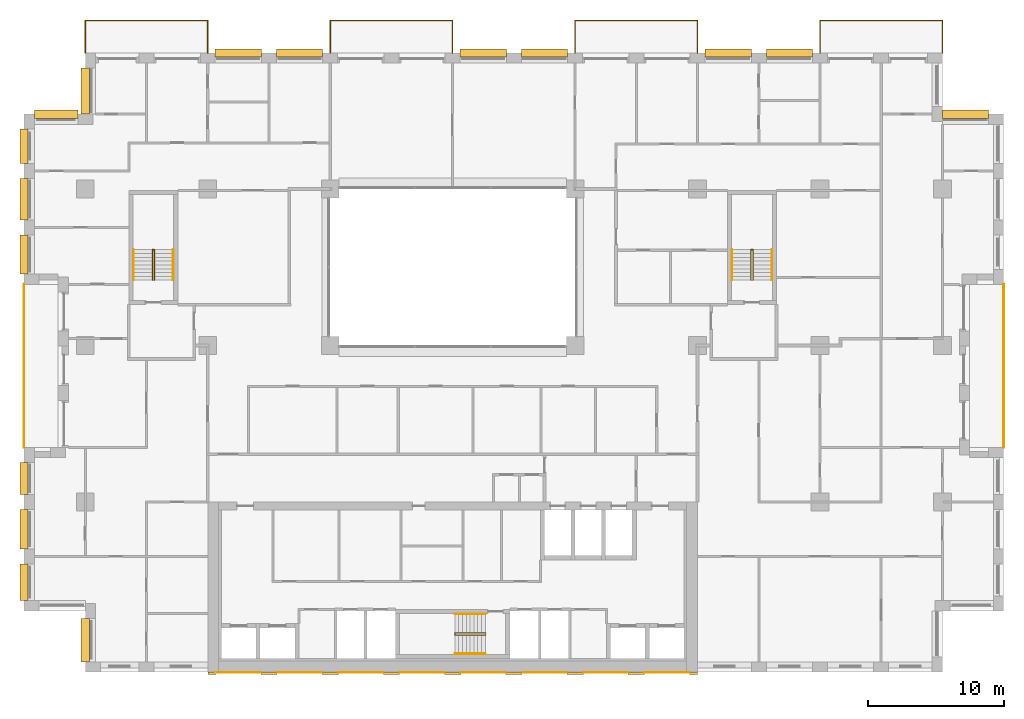
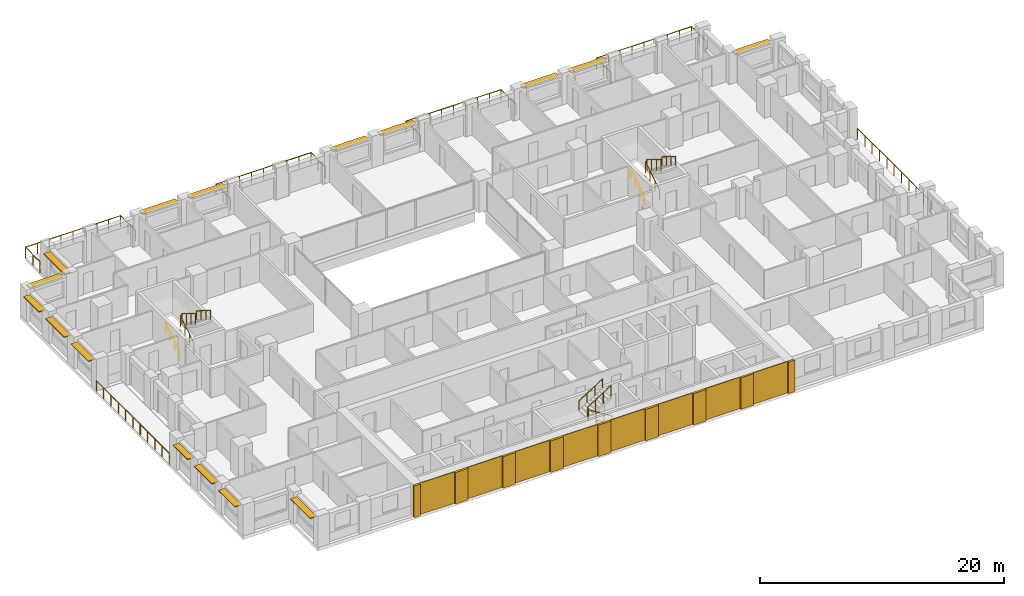
# One storey, part 16 of 16: 17 coverings, 16 shading devices, 15 railings.
"""IFC4 building model written with IfcOpenShell, lengths in metres."""

from ifc_helpers import new_model, si_unit, direction, frame, origin, origin_2d, place, context, subcontext, project, spatial, rectangle, circle, extrude, material, layer, layer_set, type_object, element, save


model = new_model("IFC4")

# Units and contexts
model_context = context("Model", 3, precision=1e-05, world=origin(), true_north=direction((0.0, 1.0)))
body_context = subcontext(model_context, "Body", "Model", "MODEL_VIEW")
ifc_project = project(units=[si_unit("LENGTHUNIT", "METRE"), si_unit("AREAUNIT", "SQUARE_METRE"), si_unit("VOLUMEUNIT", "CUBIC_METRE"), si_unit("PLANEANGLEUNIT", "RADIAN"), si_unit("MASSUNIT", "GRAM", prefix="KILO")], contexts=[model_context])

# Site, building, storey
site_placement = place(None, origin())
site = spatial("IfcSite", under=ifc_project, at=site_placement, CompositionType="ELEMENT")
building_placement = place(site_placement, origin())
building = spatial("IfcBuilding", under=site, at=building_placement, Name="Brigalow Station Residences", CompositionType="ELEMENT")
storey_placement = place(building_placement, frame((0.0, 0.0, 83.550048828125)))
storey = spatial("IfcBuildingStorey", under=building, at=storey_placement, Name="L23", CompositionType="ELEMENT", Elevation=83.550048828125)

# Railings
ifc_material_1 = material(Name="Stainless steel balustrade with laminated glass infill", Category="steel")
railing_type_1 = type_object("IfcRailingType", Name="BALCONY GUARD 1100", PredefinedType="GUARDRAIL", material=ifc_material_1)
railing_1_placement = place(storey_placement, frame((76.5, 16.5, -0.0400390625)))
element("IfcRailing", 1, at=railing_1_placement, inside=storey, type_object=railing_type_1, Name="L23/balcony-guard/1", PredefinedType="GUARDRAIL", context=body_context, shape_type="SweptSolid", body=[
    extrude(circle(Radius=0.02392578125, at=origin_2d()), frame((0.0, 0.0, 1.076171875), z_axis=(0.0, 1.0, 0.0), x_axis=(-1.0, 0.0, 0.0)), (0.0, 0.0, 1.0), 12.0),
    extrude(circle(Radius=0.02099609375, at=origin_2d()), origin(), (0.0, 0.0, 1.0), 1.052001953125),
    extrude(circle(Radius=0.02099609375, at=origin_2d()), frame((0.0, 1.199951171875, 0.0)), (0.0, 0.0, 1.0), 1.052001953125),
    extrude(circle(Radius=0.02099609375, at=origin_2d()), frame((0.0, 2.39990234375, 0.0)), (0.0, 0.0, 1.0), 1.052001953125),
    extrude(circle(Radius=0.02099609375, at=origin_2d()), frame((0.0, 3.60009765625, 0.0)), (0.0, 0.0, 1.0), 1.052001953125),
    extrude(circle(Radius=0.02099609375, at=origin_2d()), frame((0.0, 4.800048828125, 0.0)), (0.0, 0.0, 1.0), 1.052001953125),
    extrude(circle(Radius=0.02099609375, at=origin_2d()), frame((0.0, 6.0, 0.0)), (0.0, 0.0, 1.0), 1.052001953125),
    extrude(circle(Radius=0.02099609375, at=origin_2d()), frame((0.0, 7.199951171875, 0.0)), (0.0, 0.0, 1.0), 1.052001953125),
    extrude(circle(Radius=0.02099609375, at=origin_2d()), frame((0.0, 8.39990234375, 0.0)), (0.0, 0.0, 1.0), 1.052001953125),
    extrude(circle(Radius=0.02099609375, at=origin_2d()), frame((0.0, 9.60009765625, 0.0)), (0.0, 0.0, 1.0), 1.052001953125),
    extrude(circle(Radius=0.02099609375, at=origin_2d()), frame((0.0, 10.800048828125, 0.0)), (0.0, 0.0, 1.0), 1.052001953125),
    extrude(circle(Radius=0.02099609375, at=origin_2d()), frame((0.0, 12.0, 0.0)), (0.0, 0.0, 1.0), 1.052001953125),
])
railing_2_placement = place(storey_placement, frame((72.0, 45.5, -0.0400390625)))
element("IfcRailing", 2, at=railing_2_placement, inside=storey, type_object=railing_type_1, Name="L23/balcony-guard/2", PredefinedType="GUARDRAIL", context=body_context, shape_type="SweptSolid", body=[
    extrude(circle(Radius=0.02392578125, at=origin_2d()), frame((0.0, 0.0, 1.076171875), z_axis=(0.0, 1.0, 0.0), x_axis=(-1.0, 0.0, 0.0)), (0.0, 0.0, 1.0), 2.39990234375),
    extrude(circle(Radius=0.02392578125, at=origin_2d()), frame((0.0, 2.39990234375, 1.076171875), z_axis=(-1.0, 0.0, 0.0), x_axis=(0.0, -1.0, 0.0)), (0.0, 0.0, 1.0), 9.0),
    extrude(circle(Radius=0.02392578125, at=origin_2d()), frame((-9.0, 2.39990234375, 1.076171875), z_axis=(0.0, -1.0, 0.0), x_axis=(1.0, 0.0, 0.0)), (0.0, 0.0, 1.0), 2.39990234375),
    extrude(circle(Radius=0.02099609375, at=origin_2d()), origin(), (0.0, 0.0, 1.0), 1.052001953125),
    extrude(circle(Radius=0.02099609375, at=origin_2d()), frame((0.0, 1.199951171875, 0.0)), (0.0, 0.0, 1.0), 1.052001953125),
    extrude(circle(Radius=0.02099609375, at=origin_2d()), frame((0.0, 2.39990234375, 0.0)), (0.0, 0.0, 1.0), 1.052001953125),
    extrude(circle(Radius=0.02099609375, at=origin_2d()), frame((-1.125, 2.39990234375, 0.0)), (0.0, 0.0, 1.0), 1.052001953125),
    extrude(circle(Radius=0.02099609375, at=origin_2d()), frame((-2.25, 2.39990234375, 0.0)), (0.0, 0.0, 1.0), 1.052001953125),
    extrude(circle(Radius=0.02099609375, at=origin_2d()), frame((-3.375, 2.39990234375, 0.0)), (0.0, 0.0, 1.0), 1.052001953125),
    extrude(circle(Radius=0.02099609375, at=origin_2d()), frame((-4.5, 2.39990234375, 0.0)), (0.0, 0.0, 1.0), 1.052001953125),
    extrude(circle(Radius=0.02099609375, at=origin_2d()), frame((-5.625, 2.39990234375, 0.0)), (0.0, 0.0, 1.0), 1.052001953125),
    extrude(circle(Radius=0.02099609375, at=origin_2d()), frame((-6.75, 2.39990234375, 0.0)), (0.0, 0.0, 1.0), 1.052001953125),
    extrude(circle(Radius=0.02099609375, at=origin_2d()), frame((-7.875, 2.39990234375, 0.0)), (0.0, 0.0, 1.0), 1.052001953125),
    extrude(circle(Radius=0.02099609375, at=origin_2d()), frame((-9.0, 2.39990234375, 0.0)), (0.0, 0.0, 1.0), 1.052001953125),
    extrude(circle(Radius=0.02099609375, at=origin_2d()), frame((-9.0, 1.199951171875, 0.0)), (0.0, 0.0, 1.0), 1.052001953125),
    extrude(circle(Radius=0.02099609375, at=origin_2d()), frame((-9.0, 0.0, 0.0)), (0.0, 0.0, 1.0), 1.052001953125),
])
railing_3_placement = place(storey_placement, frame((54.0, 45.5, -0.0400390625)))
element("IfcRailing", 3, at=railing_3_placement, inside=storey, type_object=railing_type_1, Name="L23/balcony-guard/3", PredefinedType="GUARDRAIL", context=body_context, shape_type="SweptSolid", body=[
    extrude(circle(Radius=0.02392578125, at=origin_2d()), frame((0.0, 0.0, 1.076171875), z_axis=(0.0, 1.0, 0.0), x_axis=(-1.0, 0.0, 0.0)), (0.0, 0.0, 1.0), 2.39990234375),
    extrude(circle(Radius=0.02392578125, at=origin_2d()), frame((0.0, 2.39990234375, 1.076171875), z_axis=(-1.0, 0.0, 0.0), x_axis=(0.0, -1.0, 0.0)), (0.0, 0.0, 1.0), 9.0),
    extrude(circle(Radius=0.02392578125, at=origin_2d()), frame((-9.0, 2.39990234375, 1.076171875), z_axis=(0.0, -1.0, 0.0), x_axis=(1.0, 0.0, 0.0)), (0.0, 0.0, 1.0), 2.39990234375),
    extrude(circle(Radius=0.02099609375, at=origin_2d()), origin(), (0.0, 0.0, 1.0), 1.052001953125),
    extrude(circle(Radius=0.02099609375, at=origin_2d()), frame((0.0, 1.199951171875, 0.0)), (0.0, 0.0, 1.0), 1.052001953125),
    extrude(circle(Radius=0.02099609375, at=origin_2d()), frame((0.0, 2.39990234375, 0.0)), (0.0, 0.0, 1.0), 1.052001953125),
    extrude(circle(Radius=0.02099609375, at=origin_2d()), frame((-1.125, 2.39990234375, 0.0)), (0.0, 0.0, 1.0), 1.052001953125),
    extrude(circle(Radius=0.02099609375, at=origin_2d()), frame((-2.25, 2.39990234375, 0.0)), (0.0, 0.0, 1.0), 1.052001953125),
    extrude(circle(Radius=0.02099609375, at=origin_2d()), frame((-3.375, 2.39990234375, 0.0)), (0.0, 0.0, 1.0), 1.052001953125),
    extrude(circle(Radius=0.02099609375, at=origin_2d()), frame((-4.5, 2.39990234375, 0.0)), (0.0, 0.0, 1.0), 1.052001953125),
    extrude(circle(Radius=0.02099609375, at=origin_2d()), frame((-5.625, 2.39990234375, 0.0)), (0.0, 0.0, 1.0), 1.052001953125),
    extrude(circle(Radius=0.02099609375, at=origin_2d()), frame((-6.75, 2.39990234375, 0.0)), (0.0, 0.0, 1.0), 1.052001953125),
    extrude(circle(Radius=0.02099609375, at=origin_2d()), frame((-7.875, 2.39990234375, 0.0)), (0.0, 0.0, 1.0), 1.052001953125),
    extrude(circle(Radius=0.02099609375, at=origin_2d()), frame((-9.0, 2.39990234375, 0.0)), (0.0, 0.0, 1.0), 1.052001953125),
    extrude(circle(Radius=0.02099609375, at=origin_2d()), frame((-9.0, 1.199951171875, 0.0)), (0.0, 0.0, 1.0), 1.052001953125),
    extrude(circle(Radius=0.02099609375, at=origin_2d()), frame((-9.0, 0.0, 0.0)), (0.0, 0.0, 1.0), 1.052001953125),
])
railing_4_placement = place(storey_placement, frame((36.0, 45.5, -0.0400390625)))
element("IfcRailing", 4, at=railing_4_placement, inside=storey, type_object=railing_type_1, Name="L23/balcony-guard/4", PredefinedType="GUARDRAIL", context=body_context, shape_type="SweptSolid", body=[
    extrude(circle(Radius=0.02392578125, at=origin_2d()), frame((0.0, 0.0, 1.076171875), z_axis=(0.0, 1.0, 0.0), x_axis=(-1.0, 0.0, 0.0)), (0.0, 0.0, 1.0), 2.39990234375),
    extrude(circle(Radius=0.02392578125, at=origin_2d()), frame((0.0, 2.39990234375, 1.076171875), z_axis=(-1.0, 0.0, 0.0), x_axis=(0.0, -1.0, 0.0)), (0.0, 0.0, 1.0), 9.0),
    extrude(circle(Radius=0.02392578125, at=origin_2d()), frame((-9.0, 2.39990234375, 1.076171875), z_axis=(0.0, -1.0, 0.0), x_axis=(1.0, 0.0, 0.0)), (0.0, 0.0, 1.0), 2.39990234375),
    extrude(circle(Radius=0.02099609375, at=origin_2d()), origin(), (0.0, 0.0, 1.0), 1.052001953125),
    extrude(circle(Radius=0.02099609375, at=origin_2d()), frame((0.0, 1.199951171875, 0.0)), (0.0, 0.0, 1.0), 1.052001953125),
    extrude(circle(Radius=0.02099609375, at=origin_2d()), frame((0.0, 2.39990234375, 0.0)), (0.0, 0.0, 1.0), 1.052001953125),
    extrude(circle(Radius=0.02099609375, at=origin_2d()), frame((-1.125, 2.39990234375, 0.0)), (0.0, 0.0, 1.0), 1.052001953125),
    extrude(circle(Radius=0.02099609375, at=origin_2d()), frame((-2.25, 2.39990234375, 0.0)), (0.0, 0.0, 1.0), 1.052001953125),
    extrude(circle(Radius=0.02099609375, at=origin_2d()), frame((-3.375, 2.39990234375, 0.0)), (0.0, 0.0, 1.0), 1.052001953125),
    extrude(circle(Radius=0.02099609375, at=origin_2d()), frame((-4.5, 2.39990234375, 0.0)), (0.0, 0.0, 1.0), 1.052001953125),
    extrude(circle(Radius=0.02099609375, at=origin_2d()), frame((-5.625, 2.39990234375, 0.0)), (0.0, 0.0, 1.0), 1.052001953125),
    extrude(circle(Radius=0.02099609375, at=origin_2d()), frame((-6.75, 2.39990234375, 0.0)), (0.0, 0.0, 1.0), 1.052001953125),
    extrude(circle(Radius=0.02099609375, at=origin_2d()), frame((-7.875, 2.39990234375, 0.0)), (0.0, 0.0, 1.0), 1.052001953125),
    extrude(circle(Radius=0.02099609375, at=origin_2d()), frame((-9.0, 2.39990234375, 0.0)), (0.0, 0.0, 1.0), 1.052001953125),
    extrude(circle(Radius=0.02099609375, at=origin_2d()), frame((-9.0, 1.199951171875, 0.0)), (0.0, 0.0, 1.0), 1.052001953125),
    extrude(circle(Radius=0.02099609375, at=origin_2d()), frame((-9.0, 0.0, 0.0)), (0.0, 0.0, 1.0), 1.052001953125),
])
railing_5_placement = place(storey_placement, frame((18.0, 45.5, -0.0400390625)))
element("IfcRailing", 5, at=railing_5_placement, inside=storey, type_object=railing_type_1, Name="L23/balcony-guard/5", PredefinedType="GUARDRAIL", context=body_context, shape_type="SweptSolid", body=[
    extrude(circle(Radius=0.02392578125, at=origin_2d()), frame((0.0, 0.0, 1.076171875), z_axis=(0.0, 1.0, 0.0), x_axis=(-1.0, 0.0, 0.0)), (0.0, 0.0, 1.0), 2.39990234375),
    extrude(circle(Radius=0.02392578125, at=origin_2d()), frame((0.0, 2.39990234375, 1.076171875), z_axis=(-1.0, 0.0, 0.0), x_axis=(0.0, -1.0, 0.0)), (0.0, 0.0, 1.0), 9.0),
    extrude(circle(Radius=0.02392578125, at=origin_2d()), frame((-9.0, 2.39990234375, 1.076171875), z_axis=(0.0, -1.0, 0.0), x_axis=(1.0, 0.0, 0.0)), (0.0, 0.0, 1.0), 2.39990234375),
    extrude(circle(Radius=0.02099609375, at=origin_2d()), origin(), (0.0, 0.0, 1.0), 1.052001953125),
    extrude(circle(Radius=0.02099609375, at=origin_2d()), frame((0.0, 1.199951171875, 0.0)), (0.0, 0.0, 1.0), 1.052001953125),
    extrude(circle(Radius=0.02099609375, at=origin_2d()), frame((0.0, 2.39990234375, 0.0)), (0.0, 0.0, 1.0), 1.052001953125),
    extrude(circle(Radius=0.02099609375, at=origin_2d()), frame((-1.125, 2.39990234375, 0.0)), (0.0, 0.0, 1.0), 1.052001953125),
    extrude(circle(Radius=0.02099609375, at=origin_2d()), frame((-2.25, 2.39990234375, 0.0)), (0.0, 0.0, 1.0), 1.052001953125),
    extrude(circle(Radius=0.02099609375, at=origin_2d()), frame((-3.375, 2.39990234375, 0.0)), (0.0, 0.0, 1.0), 1.052001953125),
    extrude(circle(Radius=0.02099609375, at=origin_2d()), frame((-4.5, 2.39990234375, 0.0)), (0.0, 0.0, 1.0), 1.052001953125),
    extrude(circle(Radius=0.02099609375, at=origin_2d()), frame((-5.625, 2.39990234375, 0.0)), (0.0, 0.0, 1.0), 1.052001953125),
    extrude(circle(Radius=0.02099609375, at=origin_2d()), frame((-6.75, 2.39990234375, 0.0)), (0.0, 0.0, 1.0), 1.052001953125),
    extrude(circle(Radius=0.02099609375, at=origin_2d()), frame((-7.875, 2.39990234375, 0.0)), (0.0, 0.0, 1.0), 1.052001953125),
    extrude(circle(Radius=0.02099609375, at=origin_2d()), frame((-9.0, 2.39990234375, 0.0)), (0.0, 0.0, 1.0), 1.052001953125),
    extrude(circle(Radius=0.02099609375, at=origin_2d()), frame((-9.0, 1.199951171875, 0.0)), (0.0, 0.0, 1.0), 1.052001953125),
    extrude(circle(Radius=0.02099609375, at=origin_2d()), frame((-9.0, 0.0, 0.0)), (0.0, 0.0, 1.0), 1.052001953125),
])
railing_6_placement = place(storey_placement, frame((4.5, 28.5, -0.0400390625)))
element("IfcRailing", 6, at=railing_6_placement, inside=storey, type_object=railing_type_1, Name="L23/balcony-guard/6", PredefinedType="GUARDRAIL", context=body_context, shape_type="SweptSolid", body=[
    extrude(circle(Radius=0.02392578125, at=origin_2d()), frame((0.0, 0.0, 1.076171875), z_axis=(0.0, -1.0, 0.0), x_axis=(1.0, 0.0, 0.0)), (0.0, 0.0, 1.0), 12.0),
    extrude(circle(Radius=0.02099609375, at=origin_2d()), origin(), (0.0, 0.0, 1.0), 1.052001953125),
    extrude(circle(Radius=0.02099609375, at=origin_2d()), frame((0.0, -1.199951171875, 0.0)), (0.0, 0.0, 1.0), 1.052001953125),
    extrude(circle(Radius=0.02099609375, at=origin_2d()), frame((0.0, -2.39990234375, 0.0)), (0.0, 0.0, 1.0), 1.052001953125),
    extrude(circle(Radius=0.02099609375, at=origin_2d()), frame((0.0, -3.60009765625, 0.0)), (0.0, 0.0, 1.0), 1.052001953125),
    extrude(circle(Radius=0.02099609375, at=origin_2d()), frame((0.0, -4.800048828125, 0.0)), (0.0, 0.0, 1.0), 1.052001953125),
    extrude(circle(Radius=0.02099609375, at=origin_2d()), frame((0.0, -6.0, 0.0)), (0.0, 0.0, 1.0), 1.052001953125),
    extrude(circle(Radius=0.02099609375, at=origin_2d()), frame((0.0, -7.199951171875, 0.0)), (0.0, 0.0, 1.0), 1.052001953125),
    extrude(circle(Radius=0.02099609375, at=origin_2d()), frame((0.0, -8.39990234375, 0.0)), (0.0, 0.0, 1.0), 1.052001953125),
    extrude(circle(Radius=0.02099609375, at=origin_2d()), frame((0.0, -9.60009765625, 0.0)), (0.0, 0.0, 1.0), 1.052001953125),
    extrude(circle(Radius=0.02099609375, at=origin_2d()), frame((0.0, -10.800048828125, 0.0)), (0.0, 0.0, 1.0), 1.052001953125),
    extrude(circle(Radius=0.02099609375, at=origin_2d()), frame((0.0, -12.0, 0.0)), (0.0, 0.0, 1.0), 1.052001953125),
])

# Coverings
ifc_material_2 = material(Name="Clay brick masonry", Category="masonry")
ifc_layer_1 = layer(ifc_material_2, 0.06005859375)
ifc_layer_set_1 = layer_set([ifc_layer_1], Name="BRICK PANEL FACING 60")
covering_type_1 = type_object("IfcCoveringType", Name="BRICK PANEL FACING 60", PredefinedType="CLADDING", material=ifc_layer_set_1)
for number, where, z_axis, x_axis, name in (
    (7, (20.25, -0.030029296875, 0.0), (0.0, 0.0, 1.0), (1.0, 0.0, 0.0), "L23/rear-facing/panel-1"),
    (8, (24.75, -0.030029296875, 0.0), (0.0, 0.0, 1.0), (1.0, 0.0, 0.0), "L23/rear-facing/panel-2"),
    (9, (29.25, -0.030029296875, 0.0), (0.0, 0.0, 1.0), (1.0, 0.0, 0.0), "L23/rear-facing/panel-3"),
    (10, (33.75, -0.030029296875, 0.0), (0.0, 0.0, 1.0), (1.0, 0.0, 0.0), "L23/rear-facing/panel-4"),
    (11, (38.25, -0.030029296875, 0.0), (0.0, 0.0, 1.0), (1.0, 0.0, 0.0), "L23/rear-facing/panel-5"),
    (12, (42.75, -0.030029296875, 0.0), (0.0, 0.0, 1.0), (1.0, 0.0, 0.0), "L23/rear-facing/panel-6"),
    (13, (47.25, -0.030029296875, 0.0), (0.0, 0.0, 1.0), (1.0, 0.0, 0.0), "L23/rear-facing/panel-7"),
    (14, (51.75, -0.030029296875, 0.0), (0.0, 0.0, 1.0), (1.0, 0.0, 0.0), "L23/rear-facing/panel-8"),
):
    element("IfcCovering", number, at=place(storey_placement, frame(where, z_axis=z_axis, x_axis=x_axis)), inside=storey, type_object=covering_type_1, Name=name, PredefinedType="CLADDING", context=body_context, shape_type="SweptSolid", body=[
        extrude(rectangle(XDim=3.300048828125, YDim=0.06005859375, at=origin_2d()), origin(), (0.0, 0.0, 1.0), 3.14990234375),
    ])
ifc_material_3 = material(Name="Clay brick masonry", Category="masonry")
ifc_layer_2 = layer(ifc_material_3, 0.199951171875)
ifc_layer_set_2 = layer_set([ifc_layer_2], Name="BRICK PIER FACING 200")
covering_type_2 = type_object("IfcCoveringType", Name="BRICK PIER FACING 200", PredefinedType="CLADDING", material=ifc_layer_set_2)
covering_1_placement = place(storey_placement, frame((18.300048828125, -0.10009765625, 0.0), z_axis=(0.0, 0.0, 1.0), x_axis=(1.0, 0.0, 0.0)))
element("IfcCovering", 15, at=covering_1_placement, inside=storey, type_object=covering_type_2, Name="L23/rear-facing/pier-1", PredefinedType="CLADDING", context=body_context, shape_type="SweptSolid", body=[
    extrude(rectangle(XDim=0.60009765625, YDim=0.199951171875, at=origin_2d()), origin(), (0.0, 0.0, 1.0), 3.14990234375),
])
for number, where, z_axis, x_axis, name in (
    (16, (22.5, -0.10009765625, 0.0), (0.0, 0.0, 1.0), (1.0, 0.0, 0.0), "L23/rear-facing/pier-2"),
    (17, (27.0, -0.10009765625, 0.0), (0.0, 0.0, 1.0), (1.0, 0.0, 0.0), "L23/rear-facing/pier-3"),
    (18, (31.5, -0.10009765625, 0.0), (0.0, 0.0, 1.0), (1.0, 0.0, 0.0), "L23/rear-facing/pier-4"),
    (19, (36.0, -0.10009765625, 0.0), (0.0, 0.0, 1.0), (1.0, 0.0, 0.0), "L23/rear-facing/pier-5"),
    (20, (40.5, -0.10009765625, 0.0), (0.0, 0.0, 1.0), (1.0, 0.0, 0.0), "L23/rear-facing/pier-6"),
    (21, (45.0, -0.10009765625, 0.0), (0.0, 0.0, 1.0), (1.0, 0.0, 0.0), "L23/rear-facing/pier-7"),
    (22, (49.5, -0.10009765625, 0.0), (0.0, 0.0, 1.0), (1.0, 0.0, 0.0), "L23/rear-facing/pier-8"),
):
    element("IfcCovering", number, at=place(storey_placement, frame(where, z_axis=z_axis, x_axis=x_axis)), inside=storey, type_object=covering_type_2, Name=name, PredefinedType="CLADDING", context=body_context, shape_type="SweptSolid", body=[
        extrude(rectangle(XDim=1.199951171875, YDim=0.199951171875, at=origin_2d()), origin(), (0.0, 0.0, 1.0), 3.14990234375),
    ])
covering_2_placement = place(storey_placement, frame((53.699951171875, -0.10009765625, 0.0), z_axis=(0.0, 0.0, 1.0), x_axis=(1.0, 0.0, 0.0)))
element("IfcCovering", 23, at=covering_2_placement, inside=storey, type_object=covering_type_2, Name="L23/rear-facing/pier-9", PredefinedType="CLADDING", context=body_context, shape_type="SweptSolid", body=[
    extrude(rectangle(XDim=0.60009765625, YDim=0.199951171875, at=origin_2d()), origin(), (0.0, 0.0, 1.0), 3.14990234375),
])

# Railings
ifc_material_4 = material(Name="Stainless steel balustrade", Category="steel")
railing_type_2 = type_object("IfcRailingType", Name="STAIR GUARD 1100", PredefinedType="GUARDRAIL", material=ifc_material_4)
railing_7_placement = place(storey_placement, frame((38.39990234375, 2.72998046875, 0.175048828125)))
element("IfcRailing", 24, at=railing_7_placement, inside=storey, type_object=railing_type_2, Name="GUARD GR-2", PredefinedType="GUARDRAIL", context=body_context, shape_type="SweptSolid", body=[
    extrude(circle(Radius=0.02392578125, at=origin_2d()), frame((0.0, 0.0, 1.076171875), z_axis=(-0.848013881152, 0.0, 0.529974015752), x_axis=(0.0, -1.0, 0.0)), (0.0, 0.0, 1.0), 2.641357421875),
    extrude(circle(Radius=0.02392578125, at=origin_2d()), frame((-2.239990234375, 0.0, 2.47607421875), z_axis=(0.0, 0.624960567888, 0.780656319122), x_axis=(-1.0, 0.0, 0.0)), (0.0, 0.0, 1.0), 0.22412109375),
    extrude(circle(Radius=0.02392578125, at=origin_2d()), frame((-2.239990234375, 0.14013671875, 2.65087890625), z_axis=(0.848013881152, 0.0, 0.529974015752), x_axis=(0.0, 1.0, 0.0)), (0.0, 0.0, 1.0), 2.641357421875),
    extrude(circle(Radius=0.02099609375, at=origin_2d()), origin(), (0.0, 0.0, 1.0), 1.052001953125),
    extrude(circle(Radius=0.02099609375, at=origin_2d()), frame((-0.74658203125, 0.0, 0.466552734375)), (0.0, 0.0, 1.0), 1.052001953125),
    extrude(circle(Radius=0.02099609375, at=origin_2d()), frame((-1.493408203125, 0.0, 0.933349609375)), (0.0, 0.0, 1.0), 1.052001953125),
    extrude(circle(Radius=0.02099609375, at=origin_2d()), frame((-2.239990234375, 0.0, 1.39990234375)), (0.0, 0.0, 1.0), 1.052001953125),
    extrude(circle(Radius=0.02099609375, at=origin_2d()), frame((-2.239990234375, 0.14013671875, 1.574951171875)), (0.0, 0.0, 1.0), 1.052001953125),
    extrude(circle(Radius=0.02099609375, at=origin_2d()), frame((-1.493408203125, 0.14013671875, 2.04150390625)), (0.0, 0.0, 1.0), 1.052001953125),
    extrude(circle(Radius=0.02099609375, at=origin_2d()), frame((-0.74658203125, 0.14013671875, 2.50830078125)), (0.0, 0.0, 1.0), 1.052001953125),
    extrude(circle(Radius=0.02099609375, at=origin_2d()), frame((0.0, 0.14013671875, 2.974853515625)), (0.0, 0.0, 1.0), 1.052001953125),
])
for number, where, name in (
    (25, (13.929931640625, 28.800048828125, 0.175048828125), "GUARD GR-1"),
    (26, (57.929931640625, 28.800048828125, 0.175048828125), "GUARD GR-3"),
):
    element("IfcRailing", number, at=place(storey_placement, frame(where)), inside=storey, type_object=railing_type_2, Name=name, PredefinedType="GUARDRAIL", context=body_context, shape_type="SweptSolid", body=[
        extrude(circle(Radius=0.02392578125, at=origin_2d()), frame((0.0, 0.0, 1.076171875), z_axis=(0.0, 0.848013881152, 0.529974015752), x_axis=(-1.0, 0.0, 0.0)), (0.0, 0.0, 1.0), 2.641357421875),
        extrude(circle(Radius=0.02392578125, at=origin_2d()), frame((0.0, 2.239990234375, 2.47607421875), z_axis=(0.624960567888, 0.0, 0.780656319122), x_axis=(0.0, 1.0, 0.0)), (0.0, 0.0, 1.0), 0.22412109375),
        extrude(circle(Radius=0.02392578125, at=origin_2d()), frame((0.14013671875, 2.239990234375, 2.65087890625), z_axis=(0.0, -0.848013881152, 0.529974015752), x_axis=(1.0, 0.0, 0.0)), (0.0, 0.0, 1.0), 2.641357421875),
        extrude(circle(Radius=0.02099609375, at=origin_2d()), origin(), (0.0, 0.0, 1.0), 1.052001953125),
        extrude(circle(Radius=0.02099609375, at=origin_2d()), frame((0.0, 0.74658203125, 0.466552734375)), (0.0, 0.0, 1.0), 1.052001953125),
        extrude(circle(Radius=0.02099609375, at=origin_2d()), frame((0.0, 1.493408203125, 0.933349609375)), (0.0, 0.0, 1.0), 1.052001953125),
        extrude(circle(Radius=0.02099609375, at=origin_2d()), frame((0.0, 2.239990234375, 1.39990234375)), (0.0, 0.0, 1.0), 1.052001953125),
        extrude(circle(Radius=0.02099609375, at=origin_2d()), frame((0.14013671875, 2.239990234375, 1.574951171875)), (0.0, 0.0, 1.0), 1.052001953125),
        extrude(circle(Radius=0.02099609375, at=origin_2d()), frame((0.14013671875, 1.493408203125, 2.04150390625)), (0.0, 0.0, 1.0), 1.052001953125),
        extrude(circle(Radius=0.02099609375, at=origin_2d()), frame((0.14013671875, 0.74658203125, 2.50830078125)), (0.0, 0.0, 1.0), 1.052001953125),
        extrude(circle(Radius=0.02099609375, at=origin_2d()), frame((0.14013671875, 0.0, 2.974853515625)), (0.0, 0.0, 1.0), 1.052001953125),
    ])
ifc_material_5 = material(Name="Stainless steel handrail", Category="steel")
railing_type_3 = type_object("IfcRailingType", Name="STAIR HANDRAIL 900", PredefinedType="HANDRAIL", material=ifc_material_5)
railing_8_placement = place(storey_placement, frame((38.39990234375, 1.340087890625, 0.175048828125)))
element("IfcRailing", 27, at=railing_8_placement, inside=storey, type_object=railing_type_3, Name="HANDRAIL HR-21", PredefinedType="HANDRAIL", context=body_context, shape_type="SweptSolid", body=[
    extrude(circle(Radius=0.02392578125, at=origin_2d()), frame((0.0, 0.0, 0.8759765625), z_axis=(-0.848013881152, 0.0, 0.529974015752), x_axis=(0.0, -1.0, 0.0)), (0.0, 0.0, 1.0), 2.641357421875),
    extrude(circle(Radius=0.02099609375, at=origin_2d()), origin(), (0.0, 0.0, 1.0), 0.851806640625),
    extrude(circle(Radius=0.02099609375, at=origin_2d()), frame((-0.74658203125, 0.0, 0.466552734375)), (0.0, 0.0, 1.0), 0.851806640625),
    extrude(circle(Radius=0.02099609375, at=origin_2d()), frame((-1.493408203125, 0.0, 0.933349609375)), (0.0, 0.0, 1.0), 0.851806640625),
    extrude(circle(Radius=0.02099609375, at=origin_2d()), frame((-2.239990234375, 0.0, 1.39990234375)), (0.0, 0.0, 1.0), 0.851806640625),
])
railing_9_placement = place(storey_placement, frame((36.159912109375, 4.260009765625, 1.75)))
element("IfcRailing", 28, at=railing_9_placement, inside=storey, type_object=railing_type_3, Name="HANDRAIL HR-22", PredefinedType="HANDRAIL", context=body_context, shape_type="SweptSolid", body=[
    extrude(circle(Radius=0.02392578125, at=origin_2d()), frame((0.0, 0.0, 0.8759765625), z_axis=(0.848013881152, 0.0, 0.529974015752), x_axis=(0.0, 1.0, 0.0)), (0.0, 0.0, 1.0), 2.641357421875),
    extrude(circle(Radius=0.02099609375, at=origin_2d()), origin(), (0.0, 0.0, 1.0), 0.851806640625),
    extrude(circle(Radius=0.02099609375, at=origin_2d()), frame((0.74658203125, 0.0, 0.466552734375)), (0.0, 0.0, 1.0), 0.851806640625),
    extrude(circle(Radius=0.02099609375, at=origin_2d()), frame((1.493408203125, 0.0, 0.933349609375)), (0.0, 0.0, 1.0), 0.851806640625),
    extrude(circle(Radius=0.02099609375, at=origin_2d()), frame((2.239990234375, 0.0, 1.39990234375)), (0.0, 0.0, 1.0), 0.851806640625),
])
railing_10_placement = place(storey_placement, frame((12.5400390625, 28.800048828125, 0.175048828125)))
element("IfcRailing", 29, at=railing_10_placement, inside=storey, type_object=railing_type_3, Name="HANDRAIL HR-11", PredefinedType="HANDRAIL", context=body_context, shape_type="SweptSolid", body=[
    extrude(circle(Radius=0.02392578125, at=origin_2d()), frame((0.0, 0.0, 0.8759765625), z_axis=(0.0, 0.848013881152, 0.529974015752), x_axis=(-1.0, 0.0, 0.0)), (0.0, 0.0, 1.0), 2.641357421875),
    extrude(circle(Radius=0.02099609375, at=origin_2d()), origin(), (0.0, 0.0, 1.0), 0.851806640625),
    extrude(circle(Radius=0.02099609375, at=origin_2d()), frame((0.0, 0.74658203125, 0.466552734375)), (0.0, 0.0, 1.0), 0.851806640625),
    extrude(circle(Radius=0.02099609375, at=origin_2d()), frame((0.0, 1.493408203125, 0.933349609375)), (0.0, 0.0, 1.0), 0.851806640625),
    extrude(circle(Radius=0.02099609375, at=origin_2d()), frame((0.0, 2.239990234375, 1.39990234375)), (0.0, 0.0, 1.0), 0.851806640625),
])
railing_11_placement = place(storey_placement, frame((15.4599609375, 31.0400390625, 1.75)))
element("IfcRailing", 30, at=railing_11_placement, inside=storey, type_object=railing_type_3, Name="HANDRAIL HR-12", PredefinedType="HANDRAIL", context=body_context, shape_type="SweptSolid", body=[
    extrude(circle(Radius=0.02392578125, at=origin_2d()), frame((0.0, 0.0, 0.8759765625), z_axis=(0.0, -0.848013881152, 0.529974015752), x_axis=(1.0, 0.0, 0.0)), (0.0, 0.0, 1.0), 2.641357421875),
    extrude(circle(Radius=0.02099609375, at=origin_2d()), origin(), (0.0, 0.0, 1.0), 0.851806640625),
    extrude(circle(Radius=0.02099609375, at=origin_2d()), frame((0.0, -0.74658203125, 0.466552734375)), (0.0, 0.0, 1.0), 0.851806640625),
    extrude(circle(Radius=0.02099609375, at=origin_2d()), frame((0.0, -1.493408203125, 0.933349609375)), (0.0, 0.0, 1.0), 0.851806640625),
    extrude(circle(Radius=0.02099609375, at=origin_2d()), frame((0.0, -2.239990234375, 1.39990234375)), (0.0, 0.0, 1.0), 0.851806640625),
])
railing_12_placement = place(storey_placement, frame((56.5400390625, 28.800048828125, 0.175048828125)))
element("IfcRailing", 31, at=railing_12_placement, inside=storey, type_object=railing_type_3, Name="HANDRAIL HR-31", PredefinedType="HANDRAIL", context=body_context, shape_type="SweptSolid", body=[
    extrude(circle(Radius=0.02392578125, at=origin_2d()), frame((0.0, 0.0, 0.8759765625), z_axis=(0.0, 0.848013881152, 0.529974015752), x_axis=(-1.0, 0.0, 0.0)), (0.0, 0.0, 1.0), 2.641357421875),
    extrude(circle(Radius=0.02099609375, at=origin_2d()), origin(), (0.0, 0.0, 1.0), 0.851806640625),
    extrude(circle(Radius=0.02099609375, at=origin_2d()), frame((0.0, 0.74658203125, 0.466552734375)), (0.0, 0.0, 1.0), 0.851806640625),
    extrude(circle(Radius=0.02099609375, at=origin_2d()), frame((0.0, 1.493408203125, 0.933349609375)), (0.0, 0.0, 1.0), 0.851806640625),
    extrude(circle(Radius=0.02099609375, at=origin_2d()), frame((0.0, 2.239990234375, 1.39990234375)), (0.0, 0.0, 1.0), 0.851806640625),
])
railing_13_placement = place(storey_placement, frame((59.4599609375, 31.0400390625, 1.75)))
element("IfcRailing", 32, at=railing_13_placement, inside=storey, type_object=railing_type_3, Name="HANDRAIL HR-32", PredefinedType="HANDRAIL", context=body_context, shape_type="SweptSolid", body=[
    extrude(circle(Radius=0.02392578125, at=origin_2d()), frame((0.0, 0.0, 0.8759765625), z_axis=(0.0, -0.848013881152, 0.529974015752), x_axis=(1.0, 0.0, 0.0)), (0.0, 0.0, 1.0), 2.641357421875),
    extrude(circle(Radius=0.02099609375, at=origin_2d()), origin(), (0.0, 0.0, 1.0), 0.851806640625),
    extrude(circle(Radius=0.02099609375, at=origin_2d()), frame((0.0, -0.74658203125, 0.466552734375)), (0.0, 0.0, 1.0), 0.851806640625),
    extrude(circle(Radius=0.02099609375, at=origin_2d()), frame((0.0, -1.493408203125, 0.933349609375)), (0.0, 0.0, 1.0), 0.851806640625),
    extrude(circle(Radius=0.02099609375, at=origin_2d()), frame((0.0, -2.239990234375, 1.39990234375)), (0.0, 0.0, 1.0), 0.851806640625),
])

# Shading devices
ifc_material_6 = material(Name="Powder-coated extruded aluminium blade", Category="aluminium")
ifc_layer_3 = layer(ifc_material_6, 0.080078125)
ifc_layer_set_3 = layer_set([ifc_layer_3], Name="SUNSHADE BLADE 600x80")
shading_device_type = type_object("IfcShadingDeviceType", Name="SUNSHADE BLADE 600x80", PredefinedType="JALOUSIE", material=ifc_layer_set_3)
for number, where, z_axis, x_axis, name in (
    (33, (73.699951171875, 41.0, 2.5498046875), (0.0, 0.0, 1.0), (-1.0, 0.0, 0.0), "L23/blade/W-L23-21"),
    (34, (60.75, 45.5, 2.5498046875), (0.0, 0.0, 1.0), (-1.0, 0.0, 0.0), "L23/blade/W-L23-25"),
    (35, (56.25, 45.5, 2.5498046875), (0.0, 0.0, 1.0), (-1.0, 0.0, 0.0), "L23/blade/W-L23-26"),
    (36, (42.75, 45.5, 2.5498046875), (0.0, 0.0, 1.0), (-1.0, 0.0, 0.0), "L23/blade/W-L23-29"),
    (37, (38.25, 45.5, 2.5498046875), (0.0, 0.0, 1.0), (-1.0, 0.0, 0.0), "L23/blade/W-L23-30"),
    (38, (24.75, 45.5, 2.5498046875), (0.0, 0.0, 1.0), (-1.0, 0.0, 0.0), "L23/blade/W-L23-33"),
    (39, (20.25, 45.5, 2.5498046875), (0.0, 0.0, 1.0), (-1.0, 0.0, 0.0), "L23/blade/W-L23-34"),
    (40, (9.0, 42.699951171875, 2.5498046875), (0.0, 0.0, 1.0), (0.0, -1.0, 0.0), "L23/blade/W-L23-37"),
):
    element("IfcShadingDevice", number, at=place(storey_placement, frame(where, z_axis=z_axis, x_axis=x_axis)), inside=storey, type_object=shading_device_type, Name=name, PredefinedType="JALOUSIE", context=body_context, shape_type="SweptSolid", body=[
        extrude(rectangle(XDim=3.39990234375, YDim=0.60009765625, at=origin_2d()), origin(), (0.0, 0.0, 1.0), 0.080078125),
    ])
shading_device_1_placement = place(storey_placement, frame((6.85009765625, 41.0, 2.5498046875), z_axis=(0.0, 0.0, 1.0), x_axis=(-1.0, 0.0, 0.0)))
element("IfcShadingDevice", 41, at=shading_device_1_placement, inside=storey, type_object=shading_device_type, Name="L23/blade/W-L23-38", PredefinedType="JALOUSIE", context=body_context, shape_type="SweptSolid", body=[
    extrude(rectangle(XDim=3.199951171875, YDim=0.60009765625, at=origin_2d()), origin(), (0.0, 0.0, 1.0), 0.080078125),
])
shading_device_2_placement = place(storey_placement, frame((4.5, 38.6416015625, 2.5498046875), z_axis=(0.0, 0.0, 1.0), x_axis=(0.0, -1.0, 0.0)))
element("IfcShadingDevice", 42, at=shading_device_2_placement, inside=storey, type_object=shading_device_type, Name="L23/blade/W-L23-39", PredefinedType="JALOUSIE", context=body_context, shape_type="SweptSolid", body=[
    extrude(rectangle(XDim=2.51708984375, YDim=0.60009765625, at=origin_2d()), origin(), (0.0, 0.0, 1.0), 0.080078125),
])
shading_device_3_placement = place(storey_placement, frame((4.5, 34.75, 2.5498046875), z_axis=(0.0, 0.0, 1.0), x_axis=(0.0, -1.0, 0.0)))
element("IfcShadingDevice", 43, at=shading_device_3_placement, inside=storey, type_object=shading_device_type, Name="L23/blade/W-L23-40", PredefinedType="JALOUSIE", context=body_context, shape_type="SweptSolid", body=[
    extrude(rectangle(XDim=3.06591796875, YDim=0.60009765625, at=origin_2d()), origin(), (0.0, 0.0, 1.0), 0.080078125),
])
shading_device_4_placement = place(storey_placement, frame((4.5, 30.68359375, 2.5498046875), z_axis=(0.0, 0.0, 1.0), x_axis=(0.0, -1.0, 0.0)))
element("IfcShadingDevice", 44, at=shading_device_4_placement, inside=storey, type_object=shading_device_type, Name="L23/blade/W-L23-41", PredefinedType="JALOUSIE", context=body_context, shape_type="SweptSolid", body=[
    extrude(rectangle(XDim=2.866943359375, YDim=0.60009765625, at=origin_2d()), origin(), (0.0, 0.0, 1.0), 0.080078125),
])
shading_device_5_placement = place(storey_placement, frame((4.5, 14.22509765625, 2.5498046875), z_axis=(0.0, 0.0, 1.0), x_axis=(0.0, -1.0, 0.0)))
element("IfcShadingDevice", 45, at=shading_device_5_placement, inside=storey, type_object=shading_device_type, Name="L23/blade/W-L23-47", PredefinedType="JALOUSIE", context=body_context, shape_type="SweptSolid", body=[
    extrude(rectangle(XDim=2.35009765625, YDim=0.60009765625, at=origin_2d()), origin(), (0.0, 0.0, 1.0), 0.080078125),
])
shading_device_6_placement = place(storey_placement, frame((4.5, 10.5, 2.5498046875), z_axis=(0.0, 0.0, 1.0), x_axis=(0.0, -1.0, 0.0)))
element("IfcShadingDevice", 46, at=shading_device_6_placement, inside=storey, type_object=shading_device_type, Name="L23/blade/W-L23-48", PredefinedType="JALOUSIE", context=body_context, shape_type="SweptSolid", body=[
    extrude(rectangle(XDim=2.89990234375, YDim=0.60009765625, at=origin_2d()), origin(), (0.0, 0.0, 1.0), 0.080078125),
])
shading_device_7_placement = place(storey_placement, frame((4.5, 6.60009765625, 2.5498046875), z_axis=(0.0, 0.0, 1.0), x_axis=(0.0, -1.0, 0.0)))
element("IfcShadingDevice", 47, at=shading_device_7_placement, inside=storey, type_object=shading_device_type, Name="L23/blade/W-L23-49", PredefinedType="JALOUSIE", context=body_context, shape_type="SweptSolid", body=[
    extrude(rectangle(XDim=2.699951171875, YDim=0.60009765625, at=origin_2d()), origin(), (0.0, 0.0, 1.0), 0.080078125),
])
shading_device_8_placement = place(storey_placement, frame((9.0, 2.35009765625, 2.5498046875), z_axis=(0.0, 0.0, 1.0), x_axis=(0.0, -1.0, 0.0)))
element("IfcShadingDevice", 48, at=shading_device_8_placement, inside=storey, type_object=shading_device_type, Name="L23/blade/W-L23-51", PredefinedType="JALOUSIE", context=body_context, shape_type="SweptSolid", body=[
    extrude(rectangle(XDim=3.199951171875, YDim=0.60009765625, at=origin_2d()), origin(), (0.0, 0.0, 1.0), 0.080078125),
])

save(model, "model.ifc")
